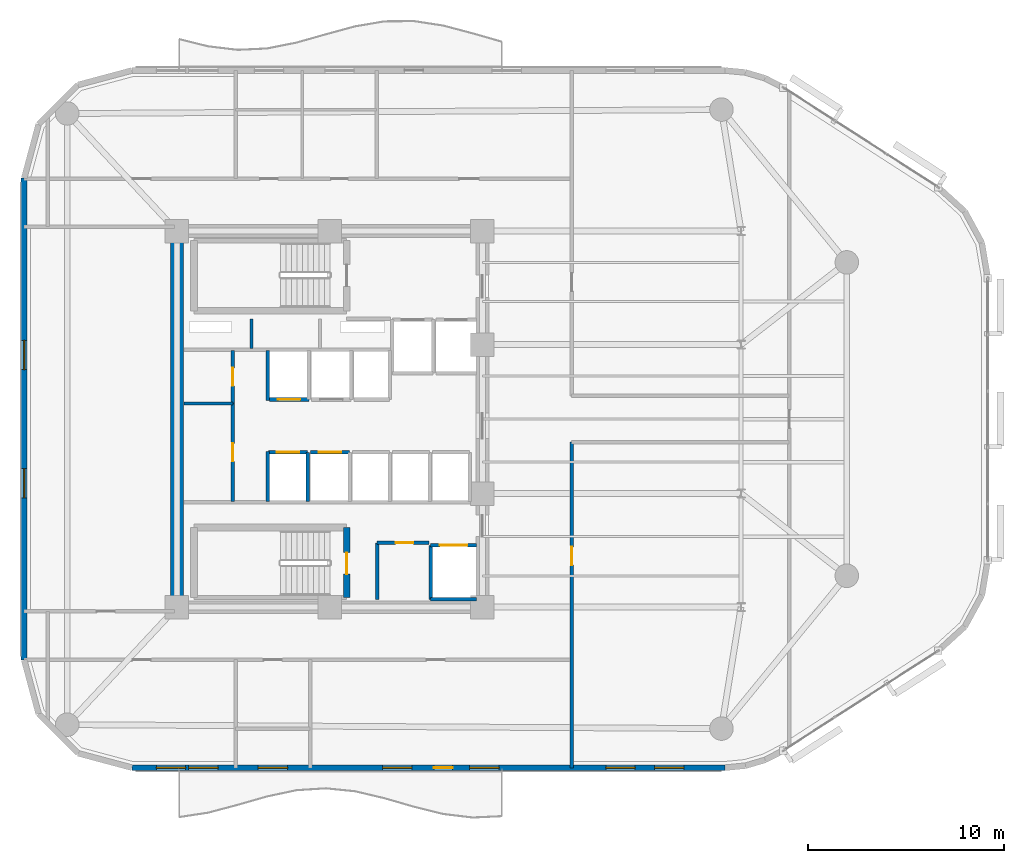
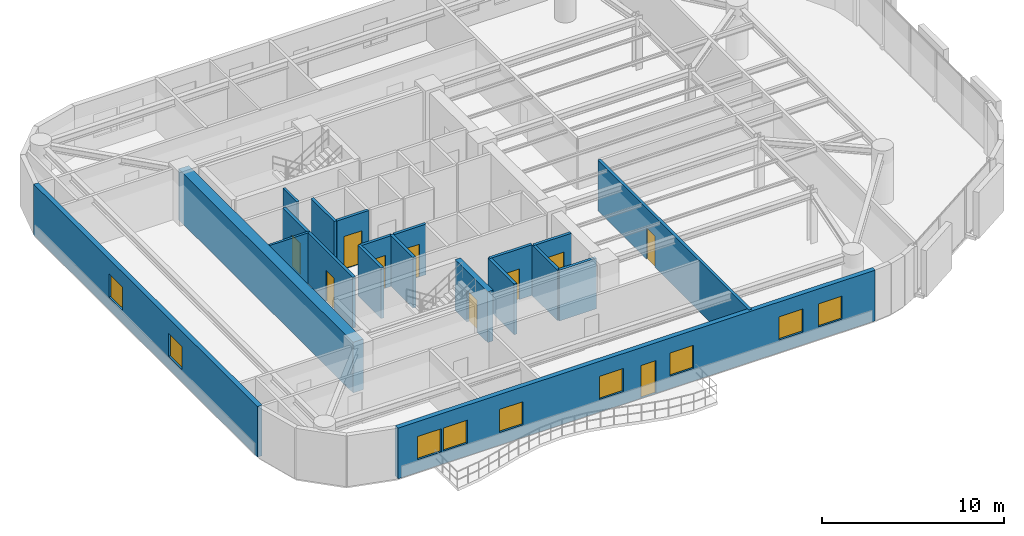
# One storey, part 10 of 14: 20 walls, 10 doors, 9 windows, 19 openings.
"""IFC4 building model written with IfcOpenShell, lengths in metres."""

from ifc_helpers import new_model, si_unit, direction, frame, frame_2d, origin, place, context, subcontext, project, spatial, rectangle, extrude, material, layer, layer_set, type_object, element, fill, save


model = new_model("IFC4")

# Units and contexts
model_context = context("Model", 3, precision=1e-05, world=origin(), true_north=direction((0.0, 1.0)))
body_context = subcontext(model_context, "Body", "Model", "MODEL_VIEW")
ifc_project = project(units=[si_unit("LENGTHUNIT", "METRE"), si_unit("AREAUNIT", "SQUARE_METRE"), si_unit("VOLUMEUNIT", "CUBIC_METRE"), si_unit("PLANEANGLEUNIT", "RADIAN"), si_unit("MASSUNIT", "GRAM", prefix="KILO")], contexts=[model_context])

# Site, building, storey
site_placement = place(None, origin())
site = spatial("IfcSite", under=ifc_project, at=site_placement, CompositionType="ELEMENT")
building_placement = place(site_placement, origin())
building = spatial("IfcBuilding", under=site, at=building_placement, Name="An Khanh Terracotta Commons", CompositionType="ELEMENT")
storey_placement = place(building_placement, frame((0.0, 0.0, 158.199951171875)))
storey = spatial("IfcBuildingStorey", under=building, at=storey_placement, Name="L41", CompositionType="ELEMENT", Elevation=158.199951171875)

# Wall
ifc_material_1 = material(Name="Concrete C60/75", Category="concrete")
ifc_layer_1 = layer(ifc_material_1, 0.64990234375, Name="Concrete C60/75")
ifc_layer_set_1 = layer_set([ifc_layer_1], Name="Concrete C60/75")
wall_type_1 = type_object("IfcWallType", Name="WALL-CORE-650", PredefinedType="SHEAR", material=ifc_layer_set_1)
wall_1_placement = place(storey_placement, frame((21.60009765625, 14.39990234375, 0.0), z_axis=(0.0, 0.0, 1.0), x_axis=(0.0, 1.0, 0.0)))
element("IfcWall", 1, at=wall_1_placement, inside=storey, type_object=wall_type_1, Name="L41 Core Wall CWALL-L41-W", PredefinedType="SHEAR", context=body_context, shape_type="SweptSolid", body=[
    extrude(rectangle(XDim=19.2001953125, YDim=0.64990234375, at=frame_2d((9.60009765625, 0.0))), origin(), (0.0, 0.0, 1.0), 3.400146484375),
])

# Wall, opening, door
ifc_material_2 = material(Name="Fire-Rated Gypsum Board on Steel Stud", Category="steel")
ifc_layer_2 = layer(ifc_material_2, 0.179931640625, Name="Fire-Rated Gypsum Board on Steel Stud")
ifc_layer_set_2 = layer_set([ifc_layer_2], Name="Fire-Rated Gypsum Board on Steel Stud")
wall_type_2 = type_object("IfcWallType", Name="WALL-CORR-180", PredefinedType="PARTITIONING", material=ifc_layer_set_2)
wall_2_placement = place(storey_placement, frame((31.820068359375, 17.679931640625, 0.0), z_axis=(0.0, 0.0, 1.0), x_axis=(1.0, 0.0, 0.0)))
wall_2 = element("IfcWall", 2, at=wall_2_placement, inside=storey, type_object=wall_type_2, Name="L41 Core Wall SSVCW-L41-N", PredefinedType="PARTITIONING", context=body_context, shape_type="SweptSolid", body=[
    extrude(rectangle(XDim=2.659912109375, YDim=0.179931640625, at=frame_2d((1.330078125, 0.0))), origin(), (0.0, 0.0, 1.0), 3.400146484375),
])
opening_1_placement = place(wall_2_placement, frame((0.949951171875, 0.0, 0.0)))
opening_1 = element("IfcOpeningElement", 3, at=opening_1_placement, cuts=wall_2, Name="Opening D-SV", PredefinedType="OPENING", context=body_context, shape_type="SweptSolid", body=[
    extrude(rectangle(XDim=0.89990234375, YDim=2.050048828125, at=frame_2d((0.449951171875, 1.02490234375))), frame((0.0, 0.099853515625, 0.0), z_axis=(0.0, -1.0, 0.0), x_axis=(1.0, 0.0, 0.0)), (0.0, 0.0, 1.0), 0.199951171875),
])
ifc_material_3 = material(Name="Fire-Rated Powder-Coated Steel Door", Category="steel")
door_type_1 = type_object("IfcDoorType", Name="DOOR-SERV-900", OperationType="NOTDEFINED", PredefinedType="DOOR", material=ifc_material_3)
door_1_placement = place(opening_1_placement, origin())
door_1 = element("IfcDoor", 4, at=door_1_placement, inside=storey, type_object=door_type_1, Name="L41 Core Housekeeping Store Door", OperationType="SINGLE_SWING_LEFT", OverallHeight=2.050048828125, OverallWidth=0.89990234375, PredefinedType="DOOR", context=body_context, shape_type="SweptSolid", body=[
    extrude(rectangle(XDim=0.89990234375, YDim=2.050048828125, at=frame_2d((0.449951171875, 1.02490234375))), frame((0.0, 0.02490234375, 0.0), z_axis=(0.0, -1.0, 0.0), x_axis=(1.0, 0.0, 0.0)), (0.0, 0.0, 1.0), 0.050048828125),
])
fill(opening_1, door_1)

# Wall
wall_3_placement = place(storey_placement, frame((31.820068359375, 14.800048828125, 0.0), z_axis=(0.0, 0.0, 1.0), x_axis=(0.0, 1.0, 0.0)))
element("IfcWall", 5, at=wall_3_placement, inside=storey, type_object=wall_type_2, Name="L41 Core Wall SSVCW-L41-W", PredefinedType="PARTITIONING", context=body_context, shape_type="SweptSolid", body=[
    extrude(rectangle(XDim=2.8798828125, YDim=0.179931640625, at=frame_2d((1.43994140625, 0.0))), origin(), (0.0, 0.0, 1.0), 3.400146484375),
])

# Wall, opening, door
wall_4_placement = place(storey_placement, frame((34.550048828125, 17.550048828125, 0.0), z_axis=(0.0, 0.0, 1.0), x_axis=(1.0, 0.0, 0.0)))
wall_4 = element("IfcWall", 6, at=wall_4_placement, inside=storey, type_object=wall_type_2, Name="L41 Core Wall LSH-L41-SVL-01-N", PredefinedType="PARTITIONING", context=body_context, shape_type="SweptSolid", body=[
    extrude(rectangle(XDim=2.349853515625, YDim=0.179931640625, at=frame_2d((1.1748046875, 0.0))), origin(), (0.0, 0.0, 1.0), 3.400146484375),
])
opening_2_placement = place(wall_4_placement, frame((0.47509765625, 0.0, 0.0)))
opening_2 = element("IfcOpeningElement", 7, at=opening_2_placement, cuts=wall_4, Name="Opening LD-SVL-01-L41", PredefinedType="OPENING", context=body_context, shape_type="SweptSolid", body=[
    extrude(rectangle(XDim=1.39990234375, YDim=2.300048828125, at=frame_2d((0.699951171875, 1.14990234375))), frame((0.0, 0.099853515625, 0.0), z_axis=(0.0, -1.0, 0.0), x_axis=(1.0, 0.0, 0.0)), (0.0, 0.0, 1.0), 0.199951171875),
])
ifc_material_4 = material(Name="Heavy-Duty Stainless Steel Goods Landing Door", Category="steel")
door_type_2 = type_object("IfcDoorType", Name="DOOR-LD-SVL-1400", OperationType="NOTDEFINED", PredefinedType="DOOR", material=ifc_material_4)
door_2_placement = place(opening_2_placement, origin())
door_2 = element("IfcDoor", 8, at=door_2_placement, inside=storey, type_object=door_type_2, Name="L41 Lift SVL-01 Sliding Landing Door", OperationType="DOUBLE_DOOR_SLIDING", OverallHeight=2.300048828125, OverallWidth=1.39990234375, PredefinedType="DOOR", context=body_context, shape_type="SweptSolid", body=[
    extrude(rectangle(XDim=1.39990234375, YDim=2.300048828125, at=frame_2d((0.699951171875, 1.14990234375))), frame((0.0, 0.02490234375, 0.0), z_axis=(0.0, -1.0, 0.0), x_axis=(1.0, 0.0, 0.0)), (0.0, 0.0, 1.0), 0.050048828125),
])
fill(opening_2, door_2)

# Walls
wall_5_placement = place(storey_placement, frame((36.89990234375, 14.800048828125, 0.0), z_axis=(0.0, 0.0, 1.0), x_axis=(-1.0, 0.0, 0.0)))
element("IfcWall", 9, at=wall_5_placement, inside=storey, type_object=wall_type_2, Name="L41 Core Wall LSH-L41-SVL-01-S", PredefinedType="PARTITIONING", context=body_context, shape_type="SweptSolid", body=[
    extrude(rectangle(XDim=2.349853515625, YDim=0.179931640625, at=frame_2d((1.1748046875, 0.0))), origin(), (0.0, 0.0, 1.0), 3.400146484375),
])
wall_6_placement = place(storey_placement, frame((34.550048828125, 17.550048828125, 0.0), z_axis=(0.0, 0.0, 1.0), x_axis=(0.0, -1.0, 0.0)))
element("IfcWall", 10, at=wall_6_placement, inside=storey, type_object=wall_type_2, Name="L41 Core Wall LSH-L41-SVL-01-W", PredefinedType="PARTITIONING", context=body_context, shape_type="SweptSolid", body=[
    extrude(rectangle(XDim=2.75, YDim=0.179931640625, at=frame_2d((1.375, 0.0))), origin(), (0.0, 0.0, 1.0), 3.400146484375),
])

# Wall, opening, door
wall_7_placement = place(storey_placement, frame((28.340087890625, 25.0, 0.0), z_axis=(0.0, 0.0, 1.0), x_axis=(-1.0, 0.0, 0.0)))
wall_7 = element("IfcWall", 11, at=wall_7_placement, inside=storey, type_object=wall_type_2, Name="L41 Core Wall LSH-L41-PL-M1-S", PredefinedType="PARTITIONING", context=body_context, shape_type="SweptSolid", body=[
    extrude(rectangle(XDim=2.02001953125, YDim=0.179931640625, at=frame_2d((1.010009765625, 0.0))), origin(), (0.0, 0.0, 1.0), 3.400146484375),
])
opening_3_placement = place(wall_7_placement, frame((0.43505859375, 0.0, 0.0)))
opening_3 = element("IfcOpeningElement", 12, at=opening_3_placement, cuts=wall_7, Name="Opening LD-PL-M1-L41", PredefinedType="OPENING", context=body_context, shape_type="SweptSolid", body=[
    extrude(rectangle(XDim=1.14990234375, YDim=2.199951171875, at=frame_2d((0.574951171875, 1.10009765625))), frame((0.0, 0.099853515625, 0.0), z_axis=(0.0, -1.0, 0.0), x_axis=(1.0, 0.0, 0.0)), (0.0, 0.0, 1.0), 0.199951171875),
])
ifc_material_5 = material(Name="Brushed Stainless Steel Passenger Landing Door", Category="steel")
door_type_3 = type_object("IfcDoorType", Name="DOOR-LD-PAX-1150", OperationType="NOTDEFINED", PredefinedType="DOOR", material=ifc_material_5)
door_3_placement = place(opening_3_placement, origin())
door_3 = element("IfcDoor", 13, at=door_3_placement, inside=storey, type_object=door_type_3, Name="L41 Lift PL-M1 Sliding Landing Door", OperationType="DOUBLE_DOOR_SLIDING", OverallHeight=2.199951171875, OverallWidth=1.14990234375, PredefinedType="DOOR", context=body_context, shape_type="SweptSolid", body=[
    extrude(rectangle(XDim=1.14990234375, YDim=2.199951171875, at=frame_2d((0.574951171875, 1.10009765625))), frame((0.0, 0.02490234375, 0.0), z_axis=(0.0, -1.0, 0.0), x_axis=(1.0, 0.0, 0.0)), (0.0, 0.0, 1.0), 0.050048828125),
])
fill(opening_3, door_3)

wall_8_placement = place(storey_placement, frame((26.280029296875, 22.300048828125, 0.0), z_axis=(0.0, 0.0, 1.0), x_axis=(1.0, 0.0, 0.0)))
wall_8 = element("IfcWall", 14, at=wall_8_placement, inside=storey, type_object=wall_type_2, Name="L41 Core Wall LSH-L41-PL-M3-N", PredefinedType="PARTITIONING", context=body_context, shape_type="SweptSolid", body=[
    extrude(rectangle(XDim=2.0, YDim=0.179931640625, at=frame_2d((1.0, 0.0))), origin(), (0.0, 0.0, 1.0), 3.400146484375),
])
opening_4_placement = place(wall_8_placement, frame((0.425048828125, 0.0, 0.0)))
opening_4 = element("IfcOpeningElement", 15, at=opening_4_placement, cuts=wall_8, Name="Opening LD-PL-M3-L41", PredefinedType="OPENING", context=body_context, shape_type="SweptSolid", body=[
    extrude(rectangle(XDim=1.14990234375, YDim=2.199951171875, at=frame_2d((0.574951171875, 1.10009765625))), frame((0.0, 0.099853515625, 0.0), z_axis=(0.0, -1.0, 0.0), x_axis=(1.0, 0.0, 0.0)), (0.0, 0.0, 1.0), 0.199951171875),
])
door_4_placement = place(opening_4_placement, origin())
door_4 = element("IfcDoor", 16, at=door_4_placement, inside=storey, type_object=door_type_3, Name="L41 Lift PL-M3 Sliding Landing Door", OperationType="DOUBLE_DOOR_SLIDING", OverallHeight=2.199951171875, OverallWidth=1.14990234375, PredefinedType="DOOR", context=body_context, shape_type="SweptSolid", body=[
    extrude(rectangle(XDim=1.14990234375, YDim=2.199951171875, at=frame_2d((0.574951171875, 1.10009765625))), frame((0.0, 0.02490234375, 0.0), z_axis=(0.0, -1.0, 0.0), x_axis=(1.0, 0.0, 0.0)), (0.0, 0.0, 1.0), 0.050048828125),
])
fill(opening_4, door_4)

# Wall
wall_9_placement = place(storey_placement, frame((28.280029296875, 19.800048828125, 0.0), z_axis=(0.0, 0.0, 1.0), x_axis=(0.0, 1.0, 0.0)))
element("IfcWall", 17, at=wall_9_placement, inside=storey, type_object=wall_type_2, Name="L41 Core Wall LSH-L41-PL-M3-E", PredefinedType="PARTITIONING", context=body_context, shape_type="SweptSolid", body=[
    extrude(rectangle(XDim=2.5, YDim=0.179931640625, at=frame_2d((1.25, 0.0))), origin(), (0.0, 0.0, 1.0), 3.400146484375),
])

# Wall, opening, door
wall_10_placement = place(storey_placement, frame((28.419921875, 22.300048828125, 0.0), z_axis=(0.0, 0.0, 1.0), x_axis=(1.0, 0.0, 0.0)))
wall_10 = element("IfcWall", 18, at=wall_10_placement, inside=storey, type_object=wall_type_2, Name="L41 Core Wall LSH-L41-PL-M4-N", PredefinedType="PARTITIONING", context=body_context, shape_type="SweptSolid", body=[
    extrude(rectangle(XDim=2.0, YDim=0.179931640625, at=frame_2d((1.0, 0.0))), origin(), (0.0, 0.0, 1.0), 3.400146484375),
])
opening_5_placement = place(wall_10_placement, frame((0.425048828125, 0.0, 0.0)))
opening_5 = element("IfcOpeningElement", 19, at=opening_5_placement, cuts=wall_10, Name="Opening LD-PL-M4-L41", PredefinedType="OPENING", context=body_context, shape_type="SweptSolid", body=[
    extrude(rectangle(XDim=1.14990234375, YDim=2.199951171875, at=frame_2d((0.574951171875, 1.10009765625))), frame((0.0, 0.099853515625, 0.0), z_axis=(0.0, -1.0, 0.0), x_axis=(1.0, 0.0, 0.0)), (0.0, 0.0, 1.0), 0.199951171875),
])
door_5_placement = place(opening_5_placement, origin())
door_5 = element("IfcDoor", 20, at=door_5_placement, inside=storey, type_object=door_type_3, Name="L41 Lift PL-M4 Sliding Landing Door", OperationType="DOUBLE_DOOR_SLIDING", OverallHeight=2.199951171875, OverallWidth=1.14990234375, PredefinedType="DOOR", context=body_context, shape_type="SweptSolid", body=[
    extrude(rectangle(XDim=1.14990234375, YDim=2.199951171875, at=frame_2d((0.574951171875, 1.10009765625))), frame((0.0, 0.02490234375, 0.0), z_axis=(0.0, -1.0, 0.0), x_axis=(1.0, 0.0, 0.0)), (0.0, 0.0, 1.0), 0.050048828125),
])
fill(opening_5, door_5)

wall_11_placement = place(storey_placement, frame((24.4599609375, 24.800048828125, 0.0), z_axis=(0.0, 0.0, 1.0), x_axis=(0.0, 1.0, 0.0)))
wall_11 = element("IfcWall", 21, at=wall_11_placement, inside=storey, type_object=wall_type_2, Name="L41 Core Wall RECW-L41-E1", PredefinedType="PARTITIONING", context=body_context, shape_type="SweptSolid", body=[
    extrude(rectangle(XDim=2.699951171875, YDim=0.179931640625, at=frame_2d((1.35009765625, 0.0))), origin(), (0.0, 0.0, 1.0), 3.400146484375),
])
opening_6_placement = place(wall_11_placement, frame((0.889892578125, 0.0, 0.0)))
opening_6 = element("IfcOpeningElement", 22, at=opening_6_placement, cuts=wall_11, Name="Opening D-RM", PredefinedType="OPENING", context=body_context, shape_type="SweptSolid", body=[
    extrude(rectangle(XDim=0.919921875, YDim=2.10009765625, at=frame_2d((0.4599609375, 1.050048828125))), frame((0.0, 0.099853515625, 0.0), z_axis=(0.0, -1.0, 0.0), x_axis=(1.0, 0.0, 0.0)), (0.0, 0.0, 1.0), 0.199951171875),
])
ifc_material_6 = material(Name="Engineered Hardwood Timber Leaf", Category="wood")
door_type_4 = type_object("IfcDoorType", Name="DOOR-INT-920", OperationType="NOTDEFINED", PredefinedType="DOOR", material=ifc_material_6)
door_6_placement = place(opening_6_placement, origin())
door_6 = element("IfcDoor", 23, at=door_6_placement, inside=storey, type_object=door_type_4, Name="L41 Floor Pantry and Ice Room Door", OperationType="SINGLE_SWING_RIGHT", OverallHeight=2.10009765625, OverallWidth=0.919921875, PredefinedType="DOOR", context=body_context, shape_type="SweptSolid", body=[
    extrude(rectangle(XDim=0.919921875, YDim=2.10009765625, at=frame_2d((0.4599609375, 1.050048828125))), frame((0.0, 0.02490234375, 0.0), z_axis=(0.0, -1.0, 0.0), x_axis=(1.0, 0.0, 0.0)), (0.0, 0.0, 1.0), 0.050048828125),
])
fill(opening_6, door_6)

wall_12_placement = place(storey_placement, frame((24.4599609375, 19.800048828125, 0.0), z_axis=(0.0, 0.0, 1.0), x_axis=(0.0, 1.0, 0.0)))
wall_12 = element("IfcWall", 24, at=wall_12_placement, inside=storey, type_object=wall_type_2, Name="L41 Core Wall RECW-L41-E2", PredefinedType="PARTITIONING", context=body_context, shape_type="SweptSolid", body=[
    extrude(rectangle(XDim=5.0, YDim=0.179931640625, at=frame_2d((2.5, 0.0))), origin(), (0.0, 0.0, 1.0), 3.400146484375),
])
opening_7_placement = place(wall_12_placement, frame((2.0400390625, 0.0, 0.0)))
opening_7 = element("IfcOpeningElement", 25, at=opening_7_placement, cuts=wall_12, Name="Opening D-RM", PredefinedType="OPENING", context=body_context, shape_type="SweptSolid", body=[
    extrude(rectangle(XDim=0.919921875, YDim=2.10009765625, at=frame_2d((0.4599609375, 1.050048828125))), frame((0.0, 0.099853515625, 0.0), z_axis=(0.0, -1.0, 0.0), x_axis=(1.0, 0.0, 0.0)), (0.0, 0.0, 1.0), 0.199951171875),
])
door_7_placement = place(opening_7_placement, origin())
door_7 = element("IfcDoor", 26, at=door_7_placement, inside=storey, type_object=door_type_4, Name="L41 Luggage Locker Room Door", OperationType="SINGLE_SWING_LEFT", OverallHeight=2.10009765625, OverallWidth=0.919921875, PredefinedType="DOOR", context=body_context, shape_type="SweptSolid", body=[
    extrude(rectangle(XDim=0.919921875, YDim=2.10009765625, at=frame_2d((0.4599609375, 1.050048828125))), frame((0.0, 0.02490234375, 0.0), z_axis=(0.0, -1.0, 0.0), x_axis=(1.0, 0.0, 0.0)), (0.0, 0.0, 1.0), 0.050048828125),
])
fill(opening_7, door_7)

# Walls
for number, where, z_axis, x_axis, name in (
    (27, (26.25, 24.949951171875, 0.0), (0.0, 0.0, 1.0), (0.0, 1.0, 0.0), "L41 Core Wall RECW-L41-BE1"),
    (28, (26.25, 19.800048828125, 0.0), (0.0, 0.0, 1.0), (0.0, 1.0, 0.0), "L41 Core Wall RECW-L41-BE2"),
):
    element("IfcWall", number, at=place(storey_placement, frame(where, z_axis=z_axis, x_axis=x_axis)), inside=storey, type_object=wall_type_2, Name=name, PredefinedType="PARTITIONING", context=body_context, shape_type="SweptSolid", body=[
        extrude(rectangle(XDim=2.550048828125, YDim=0.179931640625, at=frame_2d((1.27490234375, 0.0))), origin(), (0.0, 0.0, 1.0), 3.400146484375),
    ])

# Wall, opening, door
wall_13_placement = place(storey_placement, frame((41.75, 6.199951171875, 0.0), z_axis=(0.0, 0.0, 1.0), x_axis=(0.0, 1.0, 0.0)))
wall_13 = element("IfcWall", 29, at=wall_13_placement, inside=storey, type_object=wall_type_2, Name="L41 Interior Partition IW-L41-E016", PredefinedType="PARTITIONING", context=body_context, shape_type="SweptSolid", body=[
    extrude(rectangle(XDim=16.6201171875, YDim=0.179931640625, at=frame_2d((8.31005859375, 0.0))), origin(), (0.0, 0.0, 1.0), 3.400146484375),
])
opening_8_placement = place(wall_13_placement, frame((10.35009765625, 0.0, 0.0)))
opening_8 = element("IfcOpeningElement", 30, at=opening_8_placement, cuts=wall_13, Name="Opening D-RM", PredefinedType="OPENING", context=body_context, shape_type="SweptSolid", body=[
    extrude(rectangle(XDim=0.919921875, YDim=2.10009765625, at=frame_2d((0.4599609375, 1.050048828125))), frame((0.0, 0.099853515625, 0.0), z_axis=(0.0, -1.0, 0.0), x_axis=(1.0, 0.0, 0.0)), (0.0, 0.0, 1.0), 0.199951171875),
])
door_8_placement = place(opening_8_placement, origin())
door_8 = element("IfcDoor", 31, at=door_8_placement, inside=storey, type_object=door_type_4, Name="L41 SPN2 Riverfront Reading Hall Door", OperationType="SINGLE_SWING_RIGHT", OverallHeight=2.10009765625, OverallWidth=0.919921875, PredefinedType="DOOR", context=body_context, shape_type="SweptSolid", body=[
    extrude(rectangle(XDim=0.919921875, YDim=2.10009765625, at=frame_2d((0.4599609375, 1.050048828125))), frame((0.0, 0.02490234375, 0.0), z_axis=(0.0, -1.0, 0.0), x_axis=(1.0, 0.0, 0.0)), (0.0, 0.0, 1.0), 0.050048828125),
])
fill(opening_8, door_8)

# Wall, openings, door, windows
ifc_material_7 = material(Name="Precast concrete C40/50", Category="concrete")
ifc_layer_3 = layer(ifc_material_7, 0.300048828125, Name="Precast concrete C40/50")
ifc_layer_set_3 = layer_set([ifc_layer_3], Name="Precast concrete C40/50")
wall_type_3 = type_object("IfcWallType", Name="WALL-EXT-300", PredefinedType="SOLIDWALL", material=ifc_layer_set_3)
wall_14_placement = place(storey_placement, frame((19.300048828125, 6.199951171875, 0.0), z_axis=(0.0, 0.0, 1.0), x_axis=(1.0, 0.0, 0.0)))
wall_14 = element("IfcWall", 32, at=wall_14_placement, inside=storey, type_object=wall_type_3, Name="L41 Insulated Terracotta Exterior Wall 4", PredefinedType="SOLIDWALL", context=body_context, shape_type="SweptSolid", body=[
    extrude(rectangle(XDim=30.281982421875, YDim=0.300048828125, at=frame_2d((15.14111328125, 0.0))), origin(), (0.0, 0.0, 1.0), 3.400146484375),
])
opening_9_placement = place(wall_14_placement, frame((15.425048828125, 0.0, 0.0)))
opening_9 = element("IfcOpeningElement", 33, at=opening_9_placement, cuts=wall_14, Name="Opening D-BAL", PredefinedType="OPENING", context=body_context, shape_type="SweptSolid", body=[
    extrude(rectangle(XDim=0.949951171875, YDim=2.199951171875, at=frame_2d((0.47509765625, 1.10009765625))), frame((0.0, 0.159912109375, 0.0), z_axis=(0.0, -1.0, 0.0), x_axis=(1.0, 0.0, 0.0)), (0.0, 0.0, 1.0), 0.320068359375),
])
opening_10_placement = place(wall_14_placement, frame((1.25, 0.0, 0.85009765625)))
opening_10 = element("IfcOpeningElement", 34, at=opening_10_placement, cuts=wall_14, Name="Opening W-03", PredefinedType="OPENING", context=body_context, shape_type="SweptSolid", body=[
    extrude(rectangle(XDim=1.5, YDim=1.550048828125, at=frame_2d((0.75, 0.77490234375))), frame((0.0, 0.159912109375, 0.0), z_axis=(0.0, -1.0, 0.0), x_axis=(1.0, 0.0, 0.0)), (0.0, 0.0, 1.0), 0.320068359375),
])
opening_11_placement = place(wall_14_placement, frame((2.89990234375, 0.0, 0.85009765625)))
opening_11 = element("IfcOpeningElement", 35, at=opening_11_placement, cuts=wall_14, Name="Opening W-03", PredefinedType="OPENING", context=body_context, shape_type="SweptSolid", body=[
    extrude(rectangle(XDim=1.5, YDim=1.550048828125, at=frame_2d((0.75, 0.77490234375))), frame((0.0, 0.159912109375, 0.0), z_axis=(0.0, -1.0, 0.0), x_axis=(1.0, 0.0, 0.0)), (0.0, 0.0, 1.0), 0.320068359375),
])
opening_12_placement = place(wall_14_placement, frame((6.449951171875, 0.0, 0.85009765625)))
opening_12 = element("IfcOpeningElement", 36, at=opening_12_placement, cuts=wall_14, Name="Opening W-03", PredefinedType="OPENING", context=body_context, shape_type="SweptSolid", body=[
    extrude(rectangle(XDim=1.5, YDim=1.550048828125, at=frame_2d((0.75, 0.77490234375))), frame((0.0, 0.159912109375, 0.0), z_axis=(0.0, -1.0, 0.0), x_axis=(1.0, 0.0, 0.0)), (0.0, 0.0, 1.0), 0.320068359375),
])
opening_13_placement = place(wall_14_placement, frame((12.800048828125, 0.0, 0.85009765625)))
opening_13 = element("IfcOpeningElement", 37, at=opening_13_placement, cuts=wall_14, Name="Opening W-03", PredefinedType="OPENING", context=body_context, shape_type="SweptSolid", body=[
    extrude(rectangle(XDim=1.5, YDim=1.550048828125, at=frame_2d((0.75, 0.77490234375))), frame((0.0, 0.159912109375, 0.0), z_axis=(0.0, -1.0, 0.0), x_axis=(1.0, 0.0, 0.0)), (0.0, 0.0, 1.0), 0.320068359375),
])
opening_14_placement = place(wall_14_placement, frame((17.25, 0.0, 0.85009765625)))
opening_14 = element("IfcOpeningElement", 38, at=opening_14_placement, cuts=wall_14, Name="Opening W-03", PredefinedType="OPENING", context=body_context, shape_type="SweptSolid", body=[
    extrude(rectangle(XDim=1.5, YDim=1.550048828125, at=frame_2d((0.75, 0.77490234375))), frame((0.0, 0.159912109375, 0.0), z_axis=(0.0, -1.0, 0.0), x_axis=(1.0, 0.0, 0.0)), (0.0, 0.0, 1.0), 0.320068359375),
])
opening_15_placement = place(wall_14_placement, frame((24.194091796875, 0.0, 0.85009765625)))
opening_15 = element("IfcOpeningElement", 39, at=opening_15_placement, cuts=wall_14, Name="Opening W-03", PredefinedType="OPENING", context=body_context, shape_type="SweptSolid", body=[
    extrude(rectangle(XDim=1.5, YDim=1.550048828125, at=frame_2d((0.75, 0.77490234375))), frame((0.0, 0.159912109375, 0.0), z_axis=(0.0, -1.0, 0.0), x_axis=(1.0, 0.0, 0.0)), (0.0, 0.0, 1.0), 0.320068359375),
])
opening_16_placement = place(wall_14_placement, frame((26.68798828125, 0.0, 0.85009765625)))
opening_16 = element("IfcOpeningElement", 40, at=opening_16_placement, cuts=wall_14, Name="Opening W-03", PredefinedType="OPENING", context=body_context, shape_type="SweptSolid", body=[
    extrude(rectangle(XDim=1.5, YDim=1.550048828125, at=frame_2d((0.75, 0.77490234375))), frame((0.0, 0.159912109375, 0.0), z_axis=(0.0, -1.0, 0.0), x_axis=(1.0, 0.0, 0.0)), (0.0, 0.0, 1.0), 0.320068359375),
])
ifc_material_8 = material(Name="Thermally Broken Aluminium and Low-E Glass", Category="aluminium")
door_type_5 = type_object("IfcDoorType", Name="DOOR-BALC-950", OperationType="NOTDEFINED", PredefinedType="DOOR", material=ifc_material_8)
door_9_placement = place(opening_9_placement, origin())
door_9 = element("IfcDoor", 41, at=door_9_placement, inside=storey, type_object=door_type_5, Name="L41 S Wave Balcony Glazed Door", OperationType="SINGLE_SWING_LEFT", OverallHeight=2.199951171875, OverallWidth=0.949951171875, PredefinedType="DOOR", context=body_context, shape_type="SweptSolid", body=[
    extrude(rectangle(XDim=0.949951171875, YDim=2.199951171875, at=frame_2d((0.47509765625, 1.10009765625))), frame((0.0, 0.02490234375, 0.0), z_axis=(0.0, -1.0, 0.0), x_axis=(1.0, 0.0, 0.0)), (0.0, 0.0, 1.0), 0.050048828125),
])
fill(opening_9, door_9)
window_type = type_object("IfcWindowType", Name="WIN-Z3-1500x1550", PartitioningType="DOUBLE_PANEL_VERTICAL", PredefinedType="WINDOW", material=ifc_material_8)
window_1_placement = place(opening_10_placement, origin())
window_1 = element("IfcWindow", 42, at=window_1_placement, inside=storey, type_object=window_type, Name="L41 Operable Casement Window 4.1", OverallHeight=1.550048828125, OverallWidth=1.5, PartitioningType="DOUBLE_PANEL_VERTICAL", PredefinedType="WINDOW", context=body_context, shape_type="SweptSolid", body=[
    extrude(rectangle(XDim=1.5, YDim=1.550048828125, at=frame_2d((0.75, 0.77490234375))), frame((0.0, 0.030029296875, 0.0), z_axis=(0.0, -1.0, 0.0), x_axis=(1.0, 0.0, 0.0)), (0.0, 0.0, 1.0), 0.06005859375),
])
fill(opening_10, window_1)
window_2_placement = place(opening_11_placement, origin())
window_2 = element("IfcWindow", 43, at=window_2_placement, inside=storey, type_object=window_type, Name="L41 Operable Casement Window 4.2", OverallHeight=1.550048828125, OverallWidth=1.5, PartitioningType="DOUBLE_PANEL_VERTICAL", PredefinedType="WINDOW", context=body_context, shape_type="SweptSolid", body=[
    extrude(rectangle(XDim=1.5, YDim=1.550048828125, at=frame_2d((0.75, 0.77490234375))), frame((0.0, 0.030029296875, 0.0), z_axis=(0.0, -1.0, 0.0), x_axis=(1.0, 0.0, 0.0)), (0.0, 0.0, 1.0), 0.06005859375),
])
fill(opening_11, window_2)
window_3_placement = place(opening_12_placement, origin())
window_3 = element("IfcWindow", 44, at=window_3_placement, inside=storey, type_object=window_type, Name="L41 Operable Casement Window 4.3", OverallHeight=1.550048828125, OverallWidth=1.5, PartitioningType="DOUBLE_PANEL_VERTICAL", PredefinedType="WINDOW", context=body_context, shape_type="SweptSolid", body=[
    extrude(rectangle(XDim=1.5, YDim=1.550048828125, at=frame_2d((0.75, 0.77490234375))), frame((0.0, 0.030029296875, 0.0), z_axis=(0.0, -1.0, 0.0), x_axis=(1.0, 0.0, 0.0)), (0.0, 0.0, 1.0), 0.06005859375),
])
fill(opening_12, window_3)
window_4_placement = place(opening_13_placement, origin())
window_4 = element("IfcWindow", 45, at=window_4_placement, inside=storey, type_object=window_type, Name="L41 Operable Casement Window 4.4", OverallHeight=1.550048828125, OverallWidth=1.5, PartitioningType="DOUBLE_PANEL_VERTICAL", PredefinedType="WINDOW", context=body_context, shape_type="SweptSolid", body=[
    extrude(rectangle(XDim=1.5, YDim=1.550048828125, at=frame_2d((0.75, 0.77490234375))), frame((0.0, 0.030029296875, 0.0), z_axis=(0.0, -1.0, 0.0), x_axis=(1.0, 0.0, 0.0)), (0.0, 0.0, 1.0), 0.06005859375),
])
fill(opening_13, window_4)
window_5_placement = place(opening_14_placement, origin())
window_5 = element("IfcWindow", 46, at=window_5_placement, inside=storey, type_object=window_type, Name="L41 Operable Casement Window 4.5", OverallHeight=1.550048828125, OverallWidth=1.5, PartitioningType="DOUBLE_PANEL_VERTICAL", PredefinedType="WINDOW", context=body_context, shape_type="SweptSolid", body=[
    extrude(rectangle(XDim=1.5, YDim=1.550048828125, at=frame_2d((0.75, 0.77490234375))), frame((0.0, 0.030029296875, 0.0), z_axis=(0.0, -1.0, 0.0), x_axis=(1.0, 0.0, 0.0)), (0.0, 0.0, 1.0), 0.06005859375),
])
fill(opening_14, window_5)
window_6_placement = place(opening_15_placement, origin())
window_6 = element("IfcWindow", 47, at=window_6_placement, inside=storey, type_object=window_type, Name="L41 Operable Casement Window 4.6", OverallHeight=1.550048828125, OverallWidth=1.5, PartitioningType="DOUBLE_PANEL_VERTICAL", PredefinedType="WINDOW", context=body_context, shape_type="SweptSolid", body=[
    extrude(rectangle(XDim=1.5, YDim=1.550048828125, at=frame_2d((0.75, 0.77490234375))), frame((0.0, 0.030029296875, 0.0), z_axis=(0.0, -1.0, 0.0), x_axis=(1.0, 0.0, 0.0)), (0.0, 0.0, 1.0), 0.06005859375),
])
fill(opening_15, window_6)
window_7_placement = place(opening_16_placement, origin())
window_7 = element("IfcWindow", 48, at=window_7_placement, inside=storey, type_object=window_type, Name="L41 Operable Casement Window 4.7", OverallHeight=1.550048828125, OverallWidth=1.5, PartitioningType="DOUBLE_PANEL_VERTICAL", PredefinedType="WINDOW", context=body_context, shape_type="SweptSolid", body=[
    extrude(rectangle(XDim=1.5, YDim=1.550048828125, at=frame_2d((0.75, 0.77490234375))), frame((0.0, 0.030029296875, 0.0), z_axis=(0.0, -1.0, 0.0), x_axis=(1.0, 0.0, 0.0)), (0.0, 0.0, 1.0), 0.06005859375),
])
fill(opening_16, window_7)

# Wall, openings, windows
wall_15_placement = place(storey_placement, frame((13.800048828125, 36.300048828125, 0.0), z_axis=(0.0, 0.0, 1.0), x_axis=(0.0, -1.0, 0.0)))
wall_15 = element("IfcWall", 49, at=wall_15_placement, inside=storey, type_object=wall_type_3, Name="L41 Insulated Terracotta Exterior Wall 24", PredefinedType="SOLIDWALL", context=body_context, shape_type="SweptSolid", body=[
    extrude(rectangle(XDim=24.60009765625, YDim=0.300048828125, at=frame_2d((12.300048828125, 0.0))), origin(), (0.0, 0.0, 1.0), 3.400146484375),
])
opening_17_placement = place(wall_15_placement, frame((8.277099609375, 0.0, 0.85009765625)))
opening_17 = element("IfcOpeningElement", 50, at=opening_17_placement, cuts=wall_15, Name="Opening W-03", PredefinedType="OPENING", context=body_context, shape_type="SweptSolid", body=[
    extrude(rectangle(XDim=1.5, YDim=1.550048828125, at=frame_2d((0.75, 0.77490234375))), frame((0.0, 0.159912109375, 0.0), z_axis=(0.0, -1.0, 0.0), x_axis=(1.0, 0.0, 0.0)), (0.0, 0.0, 1.0), 0.320068359375),
])
opening_18_placement = place(wall_15_placement, frame((14.822998046875, 0.0, 0.85009765625)))
opening_18 = element("IfcOpeningElement", 51, at=opening_18_placement, cuts=wall_15, Name="Opening W-03", PredefinedType="OPENING", context=body_context, shape_type="SweptSolid", body=[
    extrude(rectangle(XDim=1.5, YDim=1.550048828125, at=frame_2d((0.75, 0.77490234375))), frame((0.0, 0.159912109375, 0.0), z_axis=(0.0, -1.0, 0.0), x_axis=(1.0, 0.0, 0.0)), (0.0, 0.0, 1.0), 0.320068359375),
])
window_8_placement = place(opening_17_placement, origin())
window_8 = element("IfcWindow", 52, at=window_8_placement, inside=storey, type_object=window_type, Name="L41 Operable Casement Window 24.1", OverallHeight=1.550048828125, OverallWidth=1.5, PartitioningType="DOUBLE_PANEL_VERTICAL", PredefinedType="WINDOW", context=body_context, shape_type="SweptSolid", body=[
    extrude(rectangle(XDim=1.5, YDim=1.550048828125, at=frame_2d((0.75, 0.77490234375))), frame((0.0, 0.030029296875, 0.0), z_axis=(0.0, -1.0, 0.0), x_axis=(1.0, 0.0, 0.0)), (0.0, 0.0, 1.0), 0.06005859375),
])
fill(opening_17, window_8)
window_9_placement = place(opening_18_placement, origin())
window_9 = element("IfcWindow", 53, at=window_9_placement, inside=storey, type_object=window_type, Name="L41 Operable Casement Window 24.2", OverallHeight=1.550048828125, OverallWidth=1.5, PartitioningType="DOUBLE_PANEL_VERTICAL", PredefinedType="WINDOW", context=body_context, shape_type="SweptSolid", body=[
    extrude(rectangle(XDim=1.5, YDim=1.550048828125, at=frame_2d((0.75, 0.77490234375))), frame((0.0, 0.030029296875, 0.0), z_axis=(0.0, -1.0, 0.0), x_axis=(1.0, 0.0, 0.0)), (0.0, 0.0, 1.0), 0.06005859375),
])
fill(opening_18, window_9)

# Walls
ifc_material_9 = material(Name="Acoustic Gypsum Board Partition")
ifc_layer_4 = layer(ifc_material_9, 0.14990234375, Name="Acoustic Gypsum Board Partition")
ifc_layer_set_4 = layer_set([ifc_layer_4], Name="Acoustic Gypsum Board Partition")
wall_type_4 = type_object("IfcWallType", Name="WALL-PART-150", PredefinedType="PARTITIONING", material=ifc_layer_set_4)
wall_16_placement = place(storey_placement, frame((25.39990234375, 27.60009765625, 0.0), z_axis=(0.0, 0.0, 1.0), x_axis=(0.0, 1.0, 0.0)))
element("IfcWall", 54, at=wall_16_placement, inside=storey, type_object=wall_type_4, Name="L41 Core Wall RSRW-L41-D1", PredefinedType="PARTITIONING", context=body_context, shape_type="SweptSolid", body=[
    extrude(rectangle(XDim=1.52001953125, YDim=0.14990234375, at=frame_2d((0.760009765625, 0.0))), origin(), (0.0, 0.0, 1.0), 3.400146484375),
])
wall_17_placement = place(storey_placement, frame((21.949951171875, 24.800048828125, 0.0), z_axis=(0.0, 0.0, 1.0), x_axis=(1.0, 0.0, 0.0)))
element("IfcWall", 55, at=wall_17_placement, inside=storey, type_object=wall_type_4, Name="L41 Core Wall RECW-L41-M", PredefinedType="PARTITIONING", context=body_context, shape_type="SweptSolid", body=[
    extrude(rectangle(XDim=2.510009765625, YDim=0.14990234375, at=frame_2d((1.2548828125, 0.0))), origin(), (0.0, 0.0, 1.0), 3.400146484375),
])

# Wall, opening, door
ifc_material_10 = material(Name="Concrete C50/60", Category="concrete")
ifc_layer_5 = layer(ifc_material_10, 0.35009765625, Name="Concrete C50/60")
ifc_layer_set_5 = layer_set([ifc_layer_5], Name="Concrete C50/60")
wall_type_5 = type_object("IfcWallType", Name="WALL-SHAFT-350", PredefinedType="SOLIDWALL", material=ifc_layer_set_5)
wall_18_placement = place(storey_placement, frame((30.27001953125, 14.889892578125, 0.0), z_axis=(0.0, 0.0, 1.0), x_axis=(0.0, 1.0, 0.0)))
wall_18 = element("IfcWall", 56, at=wall_18_placement, inside=storey, type_object=wall_type_5, Name="L41 Core Wall STW-L41-S-E", PredefinedType="SOLIDWALL", context=body_context, shape_type="SweptSolid", body=[
    extrude(rectangle(XDim=3.580078125, YDim=0.35009765625, at=frame_2d((1.7900390625, 0.0))), origin(), (0.0, 0.0, 1.0), 3.400146484375),
])
opening_19_placement = place(wall_18_placement, frame((1.18994140625, 0.0, 0.0)))
opening_19 = element("IfcOpeningElement", 57, at=opening_19_placement, cuts=wall_18, Name="Opening D-ST", PredefinedType="OPENING", context=body_context, shape_type="SweptSolid", body=[
    extrude(rectangle(XDim=1.10009765625, YDim=2.14990234375, at=frame_2d((0.550048828125, 1.074951171875))), frame((0.0, 0.18505859375, 0.0), z_axis=(0.0, -1.0, 0.0), x_axis=(1.0, 0.0, 0.0)), (0.0, 0.0, 1.0), 0.3701171875),
])
ifc_material_11 = material(Name="Fire-Rated Steel Leaf and Frame", Category="steel")
door_type_6 = type_object("IfcDoorType", Name="DOOR-STAIR-1100", OperationType="NOTDEFINED", PredefinedType="DOOR", material=ifc_material_11)
door_10_placement = place(opening_19_placement, origin())
door_10 = element("IfcDoor", 58, at=door_10_placement, inside=storey, type_object=door_type_6, Name="L41 Stair ST-02 Fire Door", OperationType="SINGLE_SWING_RIGHT", OverallHeight=2.14990234375, OverallWidth=1.10009765625, PredefinedType="DOOR", context=body_context, shape_type="SweptSolid", body=[
    extrude(rectangle(XDim=1.10009765625, YDim=2.14990234375, at=frame_2d((0.550048828125, 1.074951171875))), frame((0.0, 0.02490234375, 0.0), z_axis=(0.0, -1.0, 0.0), x_axis=(1.0, 0.0, 0.0)), (0.0, 0.0, 1.0), 0.050048828125),
])
fill(opening_19, door_10)

save(model, "model.ifc")
